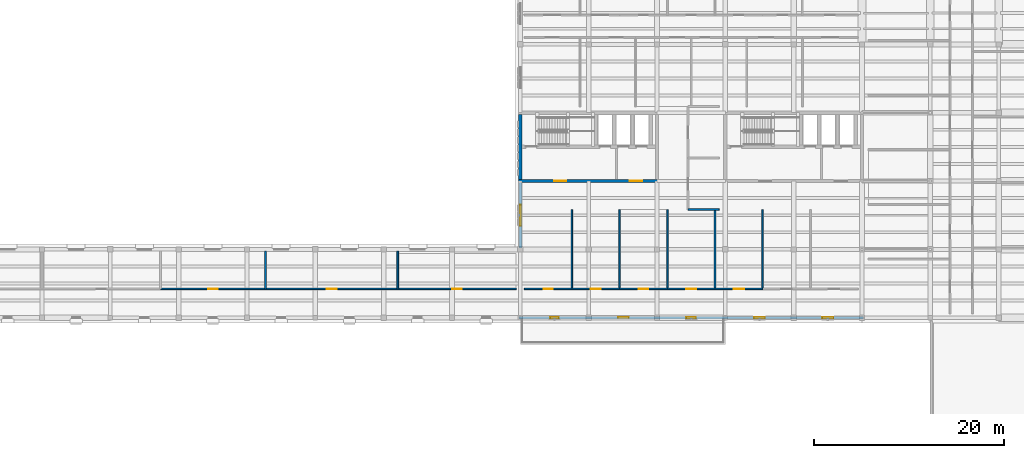
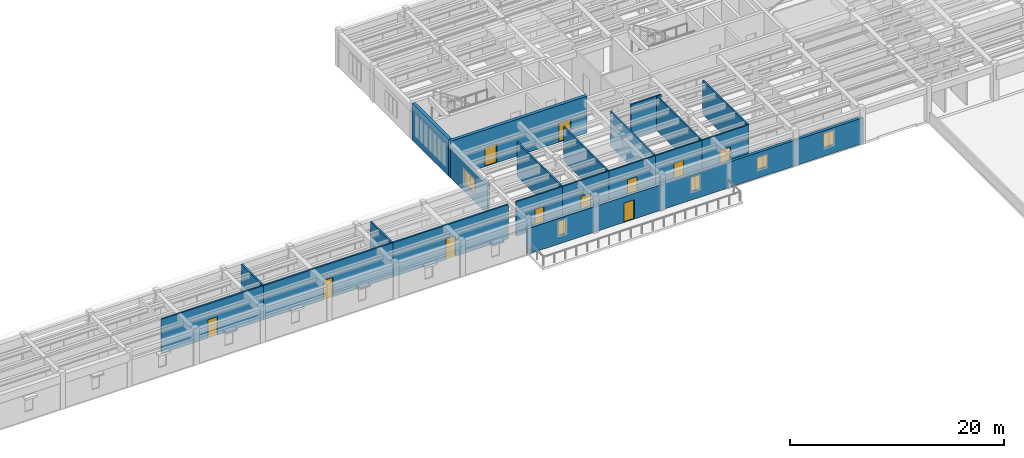
# One storey, part 13 of 22: 20 walls, 11 doors, 5 windows, 16 openings.
"""IFC4 building model written with IfcOpenShell, lengths in metres."""

from ifc_helpers import new_model, si_unit, direction, frame, frame_2d, origin, place, context, subcontext, project, spatial, rectangle, extrude, material, layer, layer_set, type_object, element, fill, save


model = new_model("IFC4")

# Units and contexts
model_context = context("Model", 3, precision=1e-05, world=origin(), true_north=direction((0.0, 1.0)))
body_context = subcontext(model_context, "Body", "Model", "MODEL_VIEW")
ifc_project = project(units=[si_unit("LENGTHUNIT", "METRE"), si_unit("AREAUNIT", "SQUARE_METRE"), si_unit("VOLUMEUNIT", "CUBIC_METRE"), si_unit("PLANEANGLEUNIT", "RADIAN"), si_unit("MASSUNIT", "GRAM", prefix="KILO")], contexts=[model_context])

# Site, building, storey
site_placement = place(None, origin())
site = spatial("IfcSite", under=ifc_project, at=site_placement, CompositionType="ELEMENT")
building_placement = place(site_placement, origin())
building = spatial("IfcBuilding", under=site, at=building_placement, Name="Mithqara Police Headquarters", CompositionType="ELEMENT")
storey_placement = place(building_placement, frame((0.0, 0.0, 22.199951171875)))
storey = spatial("IfcBuildingStorey", under=building, at=storey_placement, Name="L05", CompositionType="ELEMENT", Elevation=22.199951171875)

# Wall, openings, door, windows
ifc_material_1 = material(Name="Ochre masonry cavity wall, 35 MPa", Category="masonry")
ifc_layer_1 = layer(ifc_material_1, 0.300048828125, Name="Ochre masonry cavity wall, 35 MPa")
ifc_layer_set_1 = layer_set([ifc_layer_1], Name="Ochre masonry cavity wall, 35 MPa")
wall_type_1 = type_object("IfcWallType", Name="EXT WALL OCHRE BRICK300", PredefinedType="SOLIDWALL", material=ifc_layer_set_1)
wall_1_placement = place(storey_placement, frame((108.449951171875, 78.60009765625, 0.0), z_axis=(0.0, 0.0, 1.0), x_axis=(1.0, 0.0, 0.0)))
wall_1 = element("IfcWall", 1, at=wall_1_placement, inside=storey, type_object=wall_type_1, Name="L05 Exterior Wall 4.1", PredefinedType="SOLIDWALL", context=body_context, shape_type="SweptSolid", body=[
    extrude(rectangle(XDim=36.300048828125, YDim=0.300048828125, at=frame_2d((18.14990234375, 0.0))), origin(), (0.0, 0.0, 1.0), 2.920166015625),
])
opening_1_placement = place(wall_1_placement, frame((10.449951171875, 0.0, 0.0)))
opening_1 = element("IfcOpeningElement", 2, at=opening_1_placement, cuts=wall_1, Name="Opening TD-01", PredefinedType="OPENING", context=body_context, shape_type="SweptSolid", body=[
    extrude(rectangle(XDim=1.10009765625, YDim=2.199951171875, at=frame_2d((0.550048828125, 1.10009765625))), frame((0.0, 0.16015625, 0.0), z_axis=(0.0, -1.0, 0.0), x_axis=(1.0, 0.0, 0.0)), (0.0, 0.0, 1.0), 0.320068359375),
])
opening_2_placement = place(wall_1_placement, frame((3.324951171875, 0.0, 0.949951171875)))
opening_2 = element("IfcOpeningElement", 3, at=opening_2_placement, cuts=wall_1, Name="Opening W-02", PredefinedType="OPENING", context=body_context, shape_type="SweptSolid", body=[
    extrude(rectangle(XDim=0.85009765625, YDim=1.64990234375, at=frame_2d((0.425048828125, 0.824951171875))), frame((0.0, 0.16015625, 0.0), z_axis=(0.0, -1.0, 0.0), x_axis=(1.0, 0.0, 0.0)), (0.0, 0.0, 1.0), 0.320068359375),
])
opening_3_placement = place(wall_1_placement, frame((17.64990234375, 0.0, 0.949951171875)))
opening_3 = element("IfcOpeningElement", 4, at=opening_3_placement, cuts=wall_1, Name="Opening W-07", PredefinedType="OPENING", context=body_context, shape_type="SweptSolid", body=[
    extrude(rectangle(XDim=1.0, YDim=1.64990234375, at=frame_2d((0.5, 0.824951171875))), frame((0.0, 0.16015625, 0.0), z_axis=(0.0, -1.0, 0.0), x_axis=(1.0, 0.0, 0.0)), (0.0, 0.0, 1.0), 0.320068359375),
])
opening_4_placement = place(wall_1_placement, frame((24.77490234375, 0.0, 0.949951171875)))
opening_4 = element("IfcOpeningElement", 5, at=opening_4_placement, cuts=wall_1, Name="Opening W-11", PredefinedType="OPENING", context=body_context, shape_type="SweptSolid", body=[
    extrude(rectangle(XDim=1.14990234375, YDim=1.39990234375, at=frame_2d((0.574951171875, 0.699951171875))), frame((0.0, 0.16015625, 0.0), z_axis=(0.0, -1.0, 0.0), x_axis=(1.0, 0.0, 0.0)), (0.0, 0.0, 1.0), 0.320068359375),
])
opening_5_placement = place(wall_1_placement, frame((31.97509765625, 0.0, 0.949951171875)))
opening_5 = element("IfcOpeningElement", 6, at=opening_5_placement, cuts=wall_1, Name="Opening W-12", PredefinedType="OPENING", context=body_context, shape_type="SweptSolid", body=[
    extrude(rectangle(XDim=1.14990234375, YDim=1.64990234375, at=frame_2d((0.574951171875, 0.824951171875))), frame((0.0, 0.16015625, 0.0), z_axis=(0.0, -1.0, 0.0), x_axis=(1.0, 0.0, 0.0)), (0.0, 0.0, 1.0), 0.320068359375),
])
ifc_material_2 = material(Name="Bronze anodised aluminium 6063-T6", Category="aluminium")
door_type_1 = type_object("IfcDoorType", Name="EXT DOOR TERRACE 1100X2200", OperationType="NOTDEFINED", PredefinedType="DOOR", material=ifc_material_2)
door_1_placement = place(opening_1_placement, frame((1.10009765625, 0.0, 0.0), z_axis=(0.0, 0.0, 1.0), x_axis=(-1.0, 0.0, 0.0)))
door_1 = element("IfcDoor", 7, at=door_1_placement, inside=storey, type_object=door_type_1, Name="L05 Terrace Access Door TER-L05-S", OperationType="SINGLE_SWING_LEFT", OverallHeight=2.199951171875, OverallWidth=1.10009765625, PredefinedType="DOOR", context=body_context, shape_type="SweptSolid", body=[
    extrude(rectangle(XDim=1.10009765625, YDim=2.199951171875, at=frame_2d((0.550048828125, 1.10009765625))), frame((0.0, 0.02490234375, 0.0), z_axis=(0.0, -1.0, 0.0), x_axis=(1.0, 0.0, 0.0)), (0.0, 0.0, 1.0), 0.050048828125),
])
fill(opening_1, door_1)
ifc_material_3 = material(Name="Spectrally selective double low-e glass", Category="glass")
window_type_1 = type_object("IfcWindowType", Name="WINDOW 1000X1650", PartitioningType="SINGLE_PANEL", PredefinedType="WINDOW", material=ifc_material_3)
window_1_placement = place(opening_3_placement, origin())
window_1 = element("IfcWindow", 8, at=window_1_placement, inside=storey, type_object=window_type_1, Name="L05 Command Block Screened Window 4.3", OverallHeight=1.64990234375, OverallWidth=1.0, PartitioningType="SINGLE_PANEL", PredefinedType="WINDOW", context=body_context, shape_type="SweptSolid", body=[
    extrude(rectangle(XDim=1.0, YDim=1.64990234375, at=frame_2d((0.5, 0.824951171875))), frame((0.0, 0.030029296875, 0.0), z_axis=(0.0, -1.0, 0.0), x_axis=(1.0, 0.0, 0.0)), (0.0, 0.0, 1.0), 0.06005859375),
])
fill(opening_3, window_1)
window_type_2 = type_object("IfcWindowType", Name="WINDOW 1150X1400", PartitioningType="SINGLE_PANEL", PredefinedType="WINDOW", material=ifc_material_3)
window_2_placement = place(opening_4_placement, origin())
window_2 = element("IfcWindow", 9, at=window_2_placement, inside=storey, type_object=window_type_2, Name="L05 Command Block Screened Window 4.4", OverallHeight=1.39990234375, OverallWidth=1.14990234375, PartitioningType="SINGLE_PANEL", PredefinedType="WINDOW", context=body_context, shape_type="SweptSolid", body=[
    extrude(rectangle(XDim=1.14990234375, YDim=1.39990234375, at=frame_2d((0.574951171875, 0.699951171875))), frame((0.0, 0.030029296875, 0.0), z_axis=(0.0, -1.0, 0.0), x_axis=(1.0, 0.0, 0.0)), (0.0, 0.0, 1.0), 0.06005859375),
])
fill(opening_4, window_2)
window_type_3 = type_object("IfcWindowType", Name="WINDOW 1150X1650", PartitioningType="SINGLE_PANEL", PredefinedType="WINDOW", material=ifc_material_3)
window_3_placement = place(opening_5_placement, origin())
window_3 = element("IfcWindow", 10, at=window_3_placement, inside=storey, type_object=window_type_3, Name="L05 Command Block Screened Window 4.5", OverallHeight=1.64990234375, OverallWidth=1.14990234375, PartitioningType="SINGLE_PANEL", PredefinedType="WINDOW", context=body_context, shape_type="SweptSolid", body=[
    extrude(rectangle(XDim=1.14990234375, YDim=1.64990234375, at=frame_2d((0.574951171875, 0.824951171875))), frame((0.0, 0.030029296875, 0.0), z_axis=(0.0, -1.0, 0.0), x_axis=(1.0, 0.0, 0.0)), (0.0, 0.0, 1.0), 0.06005859375),
])
fill(opening_5, window_3)
window_type_4 = type_object("IfcWindowType", Name="WINDOW 850X1650", PartitioningType="SINGLE_PANEL", PredefinedType="WINDOW", material=ifc_material_3)
window_4_placement = place(opening_2_placement, origin())
window_4 = element("IfcWindow", 11, at=window_4_placement, inside=storey, type_object=window_type_4, Name="L05 Command Block Screened Window 4.1", OverallHeight=1.64990234375, OverallWidth=0.85009765625, PartitioningType="SINGLE_PANEL", PredefinedType="WINDOW", context=body_context, shape_type="SweptSolid", body=[
    extrude(rectangle(XDim=0.85009765625, YDim=1.64990234375, at=frame_2d((0.425048828125, 0.824951171875))), frame((0.0, 0.030029296875, 0.0), z_axis=(0.0, -1.0, 0.0), x_axis=(1.0, 0.0, 0.0)), (0.0, 0.0, 1.0), 0.06005859375),
])
fill(opening_2, window_4)

# Wall, opening, window
wall_2_placement = place(storey_placement, frame((108.60009765625, 92.830078125, 0.0), z_axis=(0.0, 0.0, 1.0), x_axis=(0.0, -1.0, 0.0)))
wall_2 = element("IfcWall", 12, at=wall_2_placement, inside=storey, type_object=wall_type_1, Name="L05 Exterior Wall 9.2", PredefinedType="SOLIDWALL", context=body_context, shape_type="SweptSolid", body=[
    extrude(rectangle(XDim=6.880126953125, YDim=0.300048828125, at=frame_2d((3.43994140625, 0.0))), origin(), (0.0, 0.0, 1.0), 3.320068359375),
])
opening_6_placement = place(wall_2_placement, frame((2.340087890625, 0.0, 0.949951171875)))
opening_6 = element("IfcOpeningElement", 13, at=opening_6_placement, cuts=wall_2, Name="Opening W-42", PredefinedType="OPENING", context=body_context, shape_type="SweptSolid", body=[
    extrude(rectangle(XDim=2.199951171875, YDim=1.64990234375, at=frame_2d((1.10009765625, 0.824951171875))), frame((0.0, 0.16015625, 0.0), z_axis=(0.0, -1.0, 0.0), x_axis=(1.0, 0.0, 0.0)), (0.0, 0.0, 1.0), 0.320068359375),
])
window_type_5 = type_object("IfcWindowType", Name="WINDOW 2200X1650", PartitioningType="DOUBLE_PANEL_VERTICAL", PredefinedType="WINDOW", material=ifc_material_3)
window_5_placement = place(opening_6_placement, origin())
window_5 = element("IfcWindow", 14, at=window_5_placement, inside=storey, type_object=window_type_5, Name="L05 Command Block Screened Window 9.1", OverallHeight=1.64990234375, OverallWidth=2.199951171875, PartitioningType="SINGLE_PANEL", PredefinedType="WINDOW", context=body_context, shape_type="SweptSolid", body=[
    extrude(rectangle(XDim=2.199951171875, YDim=1.64990234375, at=frame_2d((1.10009765625, 0.824951171875))), frame((0.0, 0.030029296875, 0.0), z_axis=(0.0, -1.0, 0.0), x_axis=(1.0, 0.0, 0.0)), (0.0, 0.0, 1.0), 0.06005859375),
])
fill(opening_6, window_5)

# Wall, opening, door
ifc_material_4 = material(Name="Gypsum acoustic stud partition", Category="gypsum")
ifc_layer_2 = layer(ifc_material_4, 0.159912109375, Name="Gypsum acoustic stud partition")
ifc_layer_set_2 = layer_set([ifc_layer_2], Name="Gypsum acoustic stud partition")
wall_type_2 = type_object("IfcWallType", Name="PART WALL 160", PredefinedType="PARTITIONING", material=ifc_layer_set_2)
wall_3_placement = place(storey_placement, frame((109.02001953125, 81.639892578125, 0.0), z_axis=(0.0, 0.0, 1.0), x_axis=(1.0, 0.0, 0.0)))
wall_3 = element("IfcWall", 15, at=wall_3_placement, inside=storey, type_object=wall_type_2, Name="L05 Corridor Wall Police Commissioner Directorate", PredefinedType="PARTITIONING", context=body_context, shape_type="SweptSolid", body=[
    extrude(rectangle(XDim=5.02294921875, YDim=0.159912109375, at=frame_2d((2.511474609375, 0.0))), origin(), (0.0, 0.0, 1.0), 3.920166015625),
])
opening_7_placement = place(wall_3_placement, frame((2.021484375, 0.0, 0.0)))
opening_7 = element("IfcOpeningElement", 16, at=opening_7_placement, cuts=wall_3, Name="Opening D-06", PredefinedType="OPENING", context=body_context, shape_type="SweptSolid", body=[
    extrude(rectangle(XDim=0.97998046875, YDim=2.35009765625, at=frame_2d((0.489990234375, 1.175048828125))), frame((0.0, 0.08984375, 0.0), z_axis=(0.0, -1.0, 0.0), x_axis=(1.0, 0.0, 0.0)), (0.0, 0.0, 1.0), 0.179931640625),
])
ifc_material_5 = material(Name="Acoustic solid-core timber leaf", Category="wood")
door_type_2 = type_object("IfcDoorType", Name="INT DOOR 980X2350", OperationType="NOTDEFINED", PredefinedType="DOOR", material=ifc_material_5)
door_2_placement = place(opening_7_placement, origin())
door_2 = element("IfcDoor", 17, at=door_2_placement, inside=storey, type_object=door_type_2, Name="Police Commissioner Directorate Entry Door", OperationType="SINGLE_SWING_LEFT", OverallHeight=2.35009765625, OverallWidth=0.97998046875, PredefinedType="DOOR", context=body_context, shape_type="SweptSolid", body=[
    extrude(rectangle(XDim=0.97998046875, YDim=2.35009765625, at=frame_2d((0.489990234375, 1.175048828125))), frame((0.0, 0.02490234375, 0.0), z_axis=(0.0, -1.0, 0.0), x_axis=(1.0, 0.0, 0.0)), (0.0, 0.0, 1.0), 0.050048828125),
])
fill(opening_7, door_2)

# Wall
wall_4_placement = place(storey_placement, frame((114.04296875, 81.639892578125, 0.0), z_axis=(0.0, 0.0, 1.0), x_axis=(0.0, 1.0, 0.0)))
element("IfcWall", 18, at=wall_4_placement, inside=storey, type_object=wall_type_2, Name="L05 Room Partition Police Commissioner Directorate", PredefinedType="PARTITIONING", context=body_context, shape_type="SweptSolid", body=[
    extrude(rectangle(XDim=8.360107421875, YDim=0.159912109375, at=frame_2d((4.18017578125, 0.0))), origin(), (0.0, 0.0, 1.0), 3.920166015625),
])

# Wall, opening, door
wall_5_placement = place(storey_placement, frame((114.04296875, 81.639892578125, 0.0), z_axis=(0.0, 0.0, 1.0), x_axis=(1.0, 0.0, 0.0)))
wall_5 = element("IfcWall", 19, at=wall_5_placement, inside=storey, type_object=wall_type_2, Name="L05 Corridor Wall Deputy Commissioner Suite", PredefinedType="PARTITIONING", context=body_context, shape_type="SweptSolid", body=[
    extrude(rectangle(XDim=5.02294921875, YDim=0.159912109375, at=frame_2d((2.511474609375, 0.0))), origin(), (0.0, 0.0, 1.0), 3.920166015625),
])
opening_8_placement = place(wall_5_placement, frame((1.991455078125, 0.0, 0.0)))
opening_8 = element("IfcOpeningElement", 20, at=opening_8_placement, cuts=wall_5, Name="Opening D-07", PredefinedType="OPENING", context=body_context, shape_type="SweptSolid", body=[
    extrude(rectangle(XDim=1.0400390625, YDim=2.10009765625, at=frame_2d((0.52001953125, 1.050048828125))), frame((0.0, 0.08984375, 0.0), z_axis=(0.0, -1.0, 0.0), x_axis=(1.0, 0.0, 0.0)), (0.0, 0.0, 1.0), 0.179931640625),
])
door_type_3 = type_object("IfcDoorType", Name="INT DOOR 1040X2100", OperationType="NOTDEFINED", PredefinedType="DOOR", material=ifc_material_5)
door_3_placement = place(opening_8_placement, origin())
door_3 = element("IfcDoor", 21, at=door_3_placement, inside=storey, type_object=door_type_3, Name="Deputy Commissioner Suite Entry Door", OperationType="SINGLE_SWING_RIGHT", OverallHeight=2.10009765625, OverallWidth=1.0400390625, PredefinedType="DOOR", context=body_context, shape_type="SweptSolid", body=[
    extrude(rectangle(XDim=1.0400390625, YDim=2.10009765625, at=frame_2d((0.52001953125, 1.050048828125))), frame((0.0, 0.02490234375, 0.0), z_axis=(0.0, -1.0, 0.0), x_axis=(1.0, 0.0, 0.0)), (0.0, 0.0, 1.0), 0.050048828125),
])
fill(opening_8, door_3)

# Wall
wall_6_placement = place(storey_placement, frame((119.06591796875, 81.639892578125, 0.0), z_axis=(0.0, 0.0, 1.0), x_axis=(0.0, 1.0, 0.0)))
element("IfcWall", 22, at=wall_6_placement, inside=storey, type_object=wall_type_2, Name="L05 Room Partition Deputy Commissioner Suite", PredefinedType="PARTITIONING", context=body_context, shape_type="SweptSolid", body=[
    extrude(rectangle(XDim=8.360107421875, YDim=0.159912109375, at=frame_2d((4.18017578125, 0.0))), origin(), (0.0, 0.0, 1.0), 3.920166015625),
])

# Wall, opening, door
wall_7_placement = place(storey_placement, frame((119.06591796875, 81.639892578125, 0.0), z_axis=(0.0, 0.0, 1.0), x_axis=(1.0, 0.0, 0.0)))
wall_7 = element("IfcWall", 23, at=wall_7_placement, inside=storey, type_object=wall_type_2, Name="L05 Corridor Wall Executive Briefing Room", PredefinedType="PARTITIONING", context=body_context, shape_type="SweptSolid", body=[
    extrude(rectangle(XDim=5.023193359375, YDim=0.159912109375, at=frame_2d((2.51171875, 0.0))), origin(), (0.0, 0.0, 1.0), 3.920166015625),
])
opening_9_placement = place(wall_7_placement, frame((1.991455078125, 0.0, 0.0)))
opening_9 = element("IfcOpeningElement", 24, at=opening_9_placement, cuts=wall_7, Name="Opening D-08", PredefinedType="OPENING", context=body_context, shape_type="SweptSolid", body=[
    extrude(rectangle(XDim=1.0400390625, YDim=2.219970703125, at=frame_2d((0.52001953125, 1.10986328125))), frame((0.0, 0.08984375, 0.0), z_axis=(0.0, -1.0, 0.0), x_axis=(1.0, 0.0, 0.0)), (0.0, 0.0, 1.0), 0.179931640625),
])
door_type_4 = type_object("IfcDoorType", Name="INT DOOR 1040X2220", OperationType="NOTDEFINED", PredefinedType="DOOR", material=ifc_material_5)
door_4_placement = place(opening_9_placement, origin())
door_4 = element("IfcDoor", 25, at=door_4_placement, inside=storey, type_object=door_type_4, Name="Executive Briefing Room Entry Door", OperationType="SINGLE_SWING_LEFT", OverallHeight=2.219970703125, OverallWidth=1.0400390625, PredefinedType="DOOR", context=body_context, shape_type="SweptSolid", body=[
    extrude(rectangle(XDim=1.0400390625, YDim=2.219970703125, at=frame_2d((0.52001953125, 1.10986328125))), frame((0.0, 0.02490234375, 0.0), z_axis=(0.0, -1.0, 0.0), x_axis=(1.0, 0.0, 0.0)), (0.0, 0.0, 1.0), 0.050048828125),
])
fill(opening_9, door_4)

# Wall
wall_8_placement = place(storey_placement, frame((124.089111328125, 81.639892578125, 0.0), z_axis=(0.0, 0.0, 1.0), x_axis=(0.0, 1.0, 0.0)))
element("IfcWall", 26, at=wall_8_placement, inside=storey, type_object=wall_type_2, Name="L05 Room Partition Executive Briefing Room", PredefinedType="PARTITIONING", context=body_context, shape_type="SweptSolid", body=[
    extrude(rectangle(XDim=8.360107421875, YDim=0.159912109375, at=frame_2d((4.18017578125, 0.0))), origin(), (0.0, 0.0, 1.0), 3.920166015625),
])

# Wall, opening, door
wall_9_placement = place(storey_placement, frame((124.089111328125, 81.639892578125, 0.0), z_axis=(0.0, 0.0, 1.0), x_axis=(1.0, 0.0, 0.0)))
wall_9 = element("IfcWall", 27, at=wall_9_placement, inside=storey, type_object=wall_type_2, Name="L05 Corridor Wall Chief of Staff Office", PredefinedType="PARTITIONING", context=body_context, shape_type="SweptSolid", body=[
    extrude(rectangle(XDim=5.02197265625, YDim=0.159912109375, at=frame_2d((2.510986328125, 0.0))), origin(), (0.0, 0.0, 1.0), 3.920166015625),
])
opening_10_placement = place(wall_9_placement, frame((1.990966796875, 0.0, 0.0)))
opening_10 = element("IfcOpeningElement", 28, at=opening_10_placement, cuts=wall_9, Name="Opening D-09", PredefinedType="OPENING", context=body_context, shape_type="SweptSolid", body=[
    extrude(rectangle(XDim=1.0400390625, YDim=2.35009765625, at=frame_2d((0.52001953125, 1.175048828125))), frame((0.0, 0.08984375, 0.0), z_axis=(0.0, -1.0, 0.0), x_axis=(1.0, 0.0, 0.0)), (0.0, 0.0, 1.0), 0.179931640625),
])
door_type_5 = type_object("IfcDoorType", Name="INT DOOR 1040X2350", OperationType="NOTDEFINED", PredefinedType="DOOR", material=ifc_material_5)
door_5_placement = place(opening_10_placement, origin())
door_5 = element("IfcDoor", 29, at=door_5_placement, inside=storey, type_object=door_type_5, Name="Chief of Staff Office Entry Door", OperationType="SINGLE_SWING_RIGHT", OverallHeight=2.35009765625, OverallWidth=1.0400390625, PredefinedType="DOOR", context=body_context, shape_type="SweptSolid", body=[
    extrude(rectangle(XDim=1.0400390625, YDim=2.35009765625, at=frame_2d((0.52001953125, 1.175048828125))), frame((0.0, 0.02490234375, 0.0), z_axis=(0.0, -1.0, 0.0), x_axis=(1.0, 0.0, 0.0)), (0.0, 0.0, 1.0), 0.050048828125),
])
fill(opening_10, door_5)

# Wall
wall_10_placement = place(storey_placement, frame((129.111083984375, 81.639892578125, 0.0), z_axis=(0.0, 0.0, 1.0), x_axis=(0.0, 1.0, 0.0)))
element("IfcWall", 30, at=wall_10_placement, inside=storey, type_object=wall_type_2, Name="L05 Room Partition Chief of Staff Office", PredefinedType="PARTITIONING", context=body_context, shape_type="SweptSolid", body=[
    extrude(rectangle(XDim=8.360107421875, YDim=0.159912109375, at=frame_2d((4.18017578125, 0.0))), origin(), (0.0, 0.0, 1.0), 3.920166015625),
])

# Wall, opening, door
wall_11_placement = place(storey_placement, frame((129.111083984375, 81.639892578125, 0.0), z_axis=(0.0, 0.0, 1.0), x_axis=(1.0, 0.0, 0.0)))
wall_11 = element("IfcWall", 31, at=wall_11_placement, inside=storey, type_object=wall_type_2, Name="L05 Corridor Wall Police Commissioner Directorate", PredefinedType="PARTITIONING", context=body_context, shape_type="SweptSolid", body=[
    extrude(rectangle(XDim=5.02294921875, YDim=0.159912109375, at=frame_2d((2.511474609375, 0.0))), origin(), (0.0, 0.0, 1.0), 3.920166015625),
])
opening_11_placement = place(wall_11_placement, frame((1.96142578125, 0.0, 0.0)))
opening_11 = element("IfcOpeningElement", 32, at=opening_11_placement, cuts=wall_11, Name="Opening D-10", PredefinedType="OPENING", context=body_context, shape_type="SweptSolid", body=[
    extrude(rectangle(XDim=1.10009765625, YDim=2.10009765625, at=frame_2d((0.550048828125, 1.050048828125))), frame((0.0, 0.08984375, 0.0), z_axis=(0.0, -1.0, 0.0), x_axis=(1.0, 0.0, 0.0)), (0.0, 0.0, 1.0), 0.179931640625),
])
door_type_6 = type_object("IfcDoorType", Name="INT DOOR 1100X2100", OperationType="NOTDEFINED", PredefinedType="DOOR", material=ifc_material_5)
door_6_placement = place(opening_11_placement, origin())
door_6 = element("IfcDoor", 33, at=door_6_placement, inside=storey, type_object=door_type_6, Name="Police Commissioner Directorate Entry Door", OperationType="SINGLE_SWING_LEFT", OverallHeight=2.10009765625, OverallWidth=1.10009765625, PredefinedType="DOOR", context=body_context, shape_type="SweptSolid", body=[
    extrude(rectangle(XDim=1.10009765625, YDim=2.10009765625, at=frame_2d((0.550048828125, 1.050048828125))), frame((0.0, 0.02490234375, 0.0), z_axis=(0.0, -1.0, 0.0), x_axis=(1.0, 0.0, 0.0)), (0.0, 0.0, 1.0), 0.050048828125),
])
fill(opening_11, door_6)

# Walls
wall_12_placement = place(storey_placement, frame((134.134033203125, 81.639892578125, 0.0), z_axis=(0.0, 0.0, 1.0), x_axis=(0.0, 1.0, 0.0)))
element("IfcWall", 34, at=wall_12_placement, inside=storey, type_object=wall_type_2, Name="L05 Room Partition Police Commissioner Directorate", PredefinedType="PARTITIONING", context=body_context, shape_type="SweptSolid", body=[
    extrude(rectangle(XDim=8.360107421875, YDim=0.159912109375, at=frame_2d((4.18017578125, 0.0))), origin(), (0.0, 0.0, 1.0), 3.920166015625),
])
ifc_material_6 = material(Name="Concrete C40/50", Category="concrete")
ifc_layer_3 = layer(ifc_material_6, 0.179931640625, Name="Concrete C40/50")
ifc_layer_set_3 = layer_set([ifc_layer_3], Name="Concrete C40/50")
wall_type_3 = type_object("IfcWallType", Name="PART WALL 180", PredefinedType="PARTITIONING", material=ifc_layer_set_3)
wall_13_placement = place(storey_placement, frame((126.27001953125, 90.0, 0.0), z_axis=(0.0, 0.0, 1.0), x_axis=(1.0, 0.0, 0.0)))
element("IfcWall", 35, at=wall_13_placement, inside=storey, type_object=wall_type_3, Name="L05 Partition End Closure E0", PredefinedType="PARTITIONING", context=body_context, shape_type="SweptSolid", body=[
    extrude(rectangle(XDim=3.280029296875, YDim=0.179931640625, at=frame_2d((1.64013671875, 0.0))), origin(), (0.0, 0.0, 1.0), 3.920166015625),
])

# Wall, opening, door
wall_14_placement = place(storey_placement, frame((70.695068359375, 81.639892578125, 0.0), z_axis=(0.0, 0.0, 1.0), x_axis=(1.0, 0.0, 0.0)))
wall_14 = element("IfcWall", 36, at=wall_14_placement, inside=storey, type_object=wall_type_3, Name="L05 Corridor Wall Inspectorate Audit Room", PredefinedType="PARTITIONING", context=body_context, shape_type="SweptSolid", body=[
    extrude(rectangle(XDim=11.044921875, YDim=0.179931640625, at=frame_2d((5.5224609375, 0.0))), origin(), (0.0, 0.0, 1.0), 3.920166015625),
])
opening_12_placement = place(wall_14_placement, frame((5.00244140625, 0.0, 0.0)))
opening_12 = element("IfcOpeningElement", 37, at=opening_12_placement, cuts=wall_14, Name="Opening D-07", PredefinedType="OPENING", context=body_context, shape_type="SweptSolid", body=[
    extrude(rectangle(XDim=1.0400390625, YDim=2.10009765625, at=frame_2d((0.52001953125, 1.050048828125))), frame((0.0, 0.10009765625, 0.0), z_axis=(0.0, -1.0, 0.0), x_axis=(1.0, 0.0, 0.0)), (0.0, 0.0, 1.0), 0.199951171875),
])
door_7_placement = place(opening_12_placement, origin())
door_7 = element("IfcDoor", 38, at=door_7_placement, inside=storey, type_object=door_type_3, Name="Inspectorate Audit Room Entry Door", OperationType="SINGLE_SWING_RIGHT", OverallHeight=2.10009765625, OverallWidth=1.0400390625, PredefinedType="DOOR", context=body_context, shape_type="SweptSolid", body=[
    extrude(rectangle(XDim=1.0400390625, YDim=2.10009765625, at=frame_2d((0.52001953125, 1.050048828125))), frame((0.0, 0.02490234375, 0.0), z_axis=(0.0, -1.0, 0.0), x_axis=(1.0, 0.0, 0.0)), (0.0, 0.0, 1.0), 0.050048828125),
])
fill(opening_12, door_7)

# Wall
wall_15_placement = place(storey_placement, frame((81.739990234375, 81.639892578125, 0.0), z_axis=(0.0, 0.0, 1.0), x_axis=(0.0, 1.0, 0.0)))
element("IfcWall", 39, at=wall_15_placement, inside=storey, type_object=wall_type_3, Name="L05 Room Partition Inspectorate Audit Room", PredefinedType="PARTITIONING", context=body_context, shape_type="SweptSolid", body=[
    extrude(rectangle(XDim=3.980224609375, YDim=0.179931640625, at=frame_2d((1.990234375, 0.0))), origin(), (0.0, 0.0, 1.0), 3.920166015625),
])

# Wall, opening, door
wall_16_placement = place(storey_placement, frame((81.739990234375, 81.639892578125, 0.0), z_axis=(0.0, 0.0, 1.0), x_axis=(1.0, 0.0, 0.0)))
wall_16 = element("IfcWall", 40, at=wall_16_placement, inside=storey, type_object=wall_type_3, Name="L05 Corridor Wall Internal Oversight Suite", PredefinedType="PARTITIONING", context=body_context, shape_type="SweptSolid", body=[
    extrude(rectangle(XDim=13.945068359375, YDim=0.179931640625, at=frame_2d((6.97265625, 0.0))), origin(), (0.0, 0.0, 1.0), 3.920166015625),
])
opening_13_placement = place(wall_16_placement, frame((6.452392578125, 0.0, 0.0)))
opening_13 = element("IfcOpeningElement", 41, at=opening_13_placement, cuts=wall_16, Name="Opening D-08", PredefinedType="OPENING", context=body_context, shape_type="SweptSolid", body=[
    extrude(rectangle(XDim=1.0400390625, YDim=2.219970703125, at=frame_2d((0.52001953125, 1.10986328125))), frame((0.0, 0.10009765625, 0.0), z_axis=(0.0, -1.0, 0.0), x_axis=(1.0, 0.0, 0.0)), (0.0, 0.0, 1.0), 0.199951171875),
])
door_8_placement = place(opening_13_placement, origin())
door_8 = element("IfcDoor", 42, at=door_8_placement, inside=storey, type_object=door_type_4, Name="Internal Oversight Suite Entry Door", OperationType="SINGLE_SWING_LEFT", OverallHeight=2.219970703125, OverallWidth=1.0400390625, PredefinedType="DOOR", context=body_context, shape_type="SweptSolid", body=[
    extrude(rectangle(XDim=1.0400390625, YDim=2.219970703125, at=frame_2d((0.52001953125, 1.10986328125))), frame((0.0, 0.02490234375, 0.0), z_axis=(0.0, -1.0, 0.0), x_axis=(1.0, 0.0, 0.0)), (0.0, 0.0, 1.0), 0.050048828125),
])
fill(opening_13, door_8)

# Wall
wall_17_placement = place(storey_placement, frame((95.68505859375, 81.639892578125, 0.0), z_axis=(0.0, 0.0, 1.0), x_axis=(0.0, 1.0, 0.0)))
element("IfcWall", 43, at=wall_17_placement, inside=storey, type_object=wall_type_3, Name="L05 Room Partition Internal Oversight Suite", PredefinedType="PARTITIONING", context=body_context, shape_type="SweptSolid", body=[
    extrude(rectangle(XDim=3.980224609375, YDim=0.179931640625, at=frame_2d((1.990234375, 0.0))), origin(), (0.0, 0.0, 1.0), 3.920166015625),
])

# Wall, opening, door
wall_18_placement = place(storey_placement, frame((95.68505859375, 81.639892578125, 0.0), z_axis=(0.0, 0.0, 1.0), x_axis=(1.0, 0.0, 0.0)))
wall_18 = element("IfcWall", 44, at=wall_18_placement, inside=storey, type_object=wall_type_3, Name="L05 Corridor Wall Professional Standards Hearing Room", PredefinedType="PARTITIONING", context=body_context, shape_type="SweptSolid", body=[
    extrude(rectangle(XDim=12.494873046875, YDim=0.179931640625, at=frame_2d((6.24755859375, 0.0))), origin(), (0.0, 0.0, 1.0), 3.920166015625),
])
opening_14_placement = place(wall_18_placement, frame((5.7275390625, 0.0, 0.0)))
opening_14 = element("IfcOpeningElement", 45, at=opening_14_placement, cuts=wall_18, Name="Opening D-09", PredefinedType="OPENING", context=body_context, shape_type="SweptSolid", body=[
    extrude(rectangle(XDim=1.0400390625, YDim=2.35009765625, at=frame_2d((0.52001953125, 1.175048828125))), frame((0.0, 0.10009765625, 0.0), z_axis=(0.0, -1.0, 0.0), x_axis=(1.0, 0.0, 0.0)), (0.0, 0.0, 1.0), 0.199951171875),
])
door_9_placement = place(opening_14_placement, origin())
door_9 = element("IfcDoor", 46, at=door_9_placement, inside=storey, type_object=door_type_5, Name="Professional Standards Hearing Room Entry Door", OperationType="SINGLE_SWING_RIGHT", OverallHeight=2.35009765625, OverallWidth=1.0400390625, PredefinedType="DOOR", context=body_context, shape_type="SweptSolid", body=[
    extrude(rectangle(XDim=1.0400390625, YDim=2.35009765625, at=frame_2d((0.52001953125, 1.175048828125))), frame((0.0, 0.02490234375, 0.0), z_axis=(0.0, -1.0, 0.0), x_axis=(1.0, 0.0, 0.0)), (0.0, 0.0, 1.0), 0.050048828125),
])
fill(opening_14, door_9)

# Wall, openings, doors
ifc_material_7 = material(Name="Concrete C50/60", Category="concrete")
ifc_layer_4 = layer(ifc_material_7, 0.340087890625, Name="Concrete C50/60")
ifc_layer_set_4 = layer_set([ifc_layer_4], Name="Concrete C50/60")
wall_type_4 = type_object("IfcWallType", Name="SHEAR WALL 340", PredefinedType="SHEAR", material=ifc_layer_set_4)
wall_19_placement = place(storey_placement, frame((108.429931640625, 93.0, 0.0), z_axis=(0.0, 0.0, 1.0), x_axis=(1.0, 0.0, 0.0)))
wall_19 = element("IfcWall", 47, at=wall_19_placement, inside=storey, type_object=wall_type_4, Name="Core C1 Command West Shear Wall S", PredefinedType="SHEAR", context=body_context, shape_type="SweptSolid", body=[
    extrude(rectangle(XDim=14.739990234375, YDim=0.340087890625, at=frame_2d((7.3701171875, 0.0))), origin(), (0.0, 0.0, 1.0), 4.199951171875),
])
opening_15_placement = place(wall_19_placement, frame((3.719970703125, 0.0, 0.0)))
opening_15 = element("IfcOpeningElement", 48, at=opening_15_placement, cuts=wall_19, Name="Opening FD-02", PredefinedType="OPENING", context=body_context, shape_type="SweptSolid", body=[
    extrude(rectangle(XDim=1.300048828125, YDim=2.199951171875, at=frame_2d((0.64990234375, 1.10009765625))), frame((0.0, 0.18017578125, 0.0), z_axis=(0.0, -1.0, 0.0), x_axis=(1.0, 0.0, 0.0)), (0.0, 0.0, 1.0), 0.360107421875),
])
opening_16_placement = place(wall_19_placement, frame((11.719970703125, 0.0, 0.0)))
opening_16 = element("IfcOpeningElement", 49, at=opening_16_placement, cuts=wall_19, Name="Opening FD-02", PredefinedType="OPENING", context=body_context, shape_type="SweptSolid", body=[
    extrude(rectangle(XDim=1.300048828125, YDim=2.199951171875, at=frame_2d((0.64990234375, 1.10009765625))), frame((0.0, 0.18017578125, 0.0), z_axis=(0.0, -1.0, 0.0), x_axis=(1.0, 0.0, 0.0)), (0.0, 0.0, 1.0), 0.360107421875),
])
ifc_material_8 = material(Name="Steel S355JR", Category="steel")
door_type_7 = type_object("IfcDoorType", Name="CORE DOOR LOBBY 1300X2200", OperationType="NOTDEFINED", PredefinedType="DOOR", material=ifc_material_8)
door_10_placement = place(opening_15_placement, frame((1.300048828125, 0.0, 0.0), z_axis=(0.0, 0.0, 1.0), x_axis=(-1.0, 0.0, 0.0)))
door_10 = element("IfcDoor", 50, at=door_10_placement, inside=storey, type_object=door_type_7, Name="Core C1 Command West FF Lobby Fire Door L05", OperationType="SINGLE_SWING_LEFT", OverallHeight=2.199951171875, OverallWidth=1.300048828125, PredefinedType="DOOR", context=body_context, shape_type="SweptSolid", body=[
    extrude(rectangle(XDim=1.300048828125, YDim=2.199951171875, at=frame_2d((0.64990234375, 1.10009765625))), frame((0.0, 0.02490234375, 0.0), z_axis=(0.0, -1.0, 0.0), x_axis=(1.0, 0.0, 0.0)), (0.0, 0.0, 1.0), 0.050048828125),
])
fill(opening_15, door_10)
door_11_placement = place(opening_16_placement, frame((1.300048828125, 0.0, 0.0), z_axis=(0.0, 0.0, 1.0), x_axis=(-1.0, 0.0, 0.0)))
door_11 = element("IfcDoor", 51, at=door_11_placement, inside=storey, type_object=door_type_7, Name="Core C1 Command West PA Lobby Fire Door L05", OperationType="SINGLE_SWING_RIGHT", OverallHeight=2.199951171875, OverallWidth=1.300048828125, PredefinedType="DOOR", context=body_context, shape_type="SweptSolid", body=[
    extrude(rectangle(XDim=1.300048828125, YDim=2.199951171875, at=frame_2d((0.64990234375, 1.10009765625))), frame((0.0, 0.02490234375, 0.0), z_axis=(0.0, -1.0, 0.0), x_axis=(1.0, 0.0, 0.0)), (0.0, 0.0, 1.0), 0.050048828125),
])
fill(opening_16, door_11)

# Wall
wall_20_placement = place(storey_placement, frame((108.60009765625, 93.179931640625, 0.0), z_axis=(0.0, 0.0, 1.0), x_axis=(0.0, 1.0, 0.0)))
element("IfcWall", 52, at=wall_20_placement, inside=storey, type_object=wall_type_4, Name="Core C1 Command West Shear Wall W", PredefinedType="SHEAR", context=body_context, shape_type="SweptSolid", body=[
    extrude(rectangle(XDim=6.840087890625, YDim=0.340087890625, at=frame_2d((3.419921875, 0.0))), origin(), (0.0, 0.0, 1.0), 4.199951171875),
])

save(model, "model.ifc")
